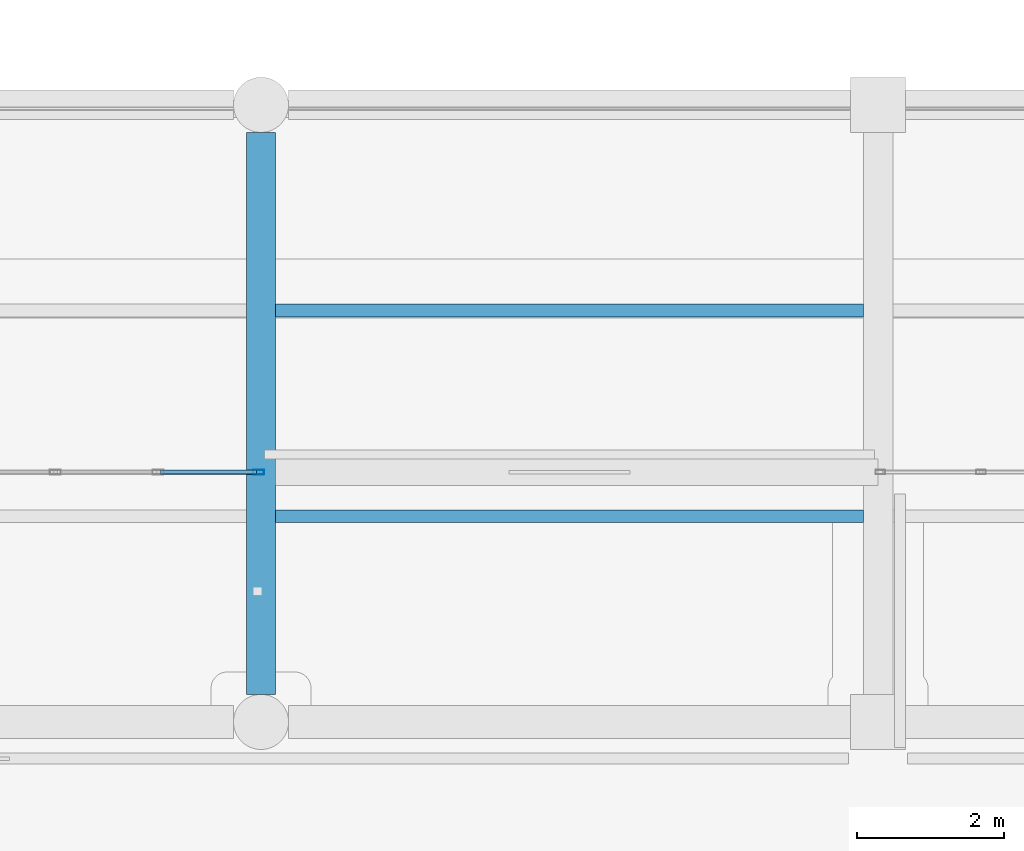
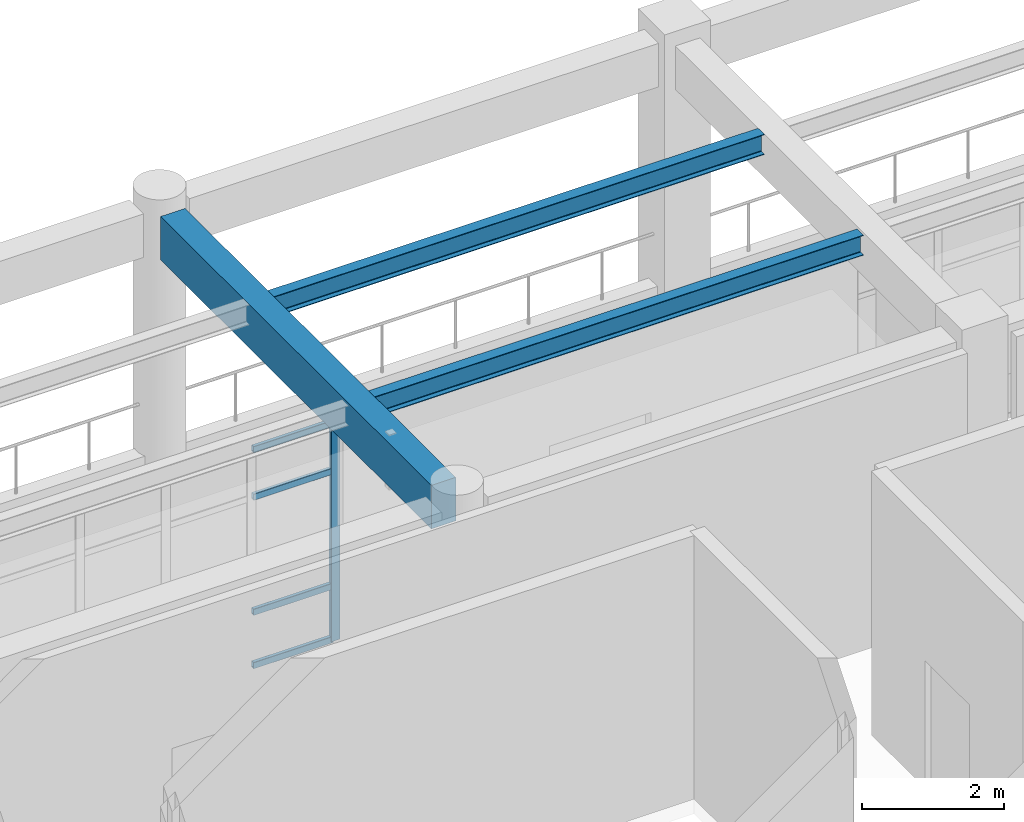
# One storey, part 9 of 111: 5 members, 3 beams, 1 element without a shape of its own.
"""IFC4 building model written with IfcOpenShell, lengths in metres."""

from ifc_helpers import new_model, si_unit, direction, frame, origin, origin_2d, place, context, subcontext, project, spatial, rectangle, hollow_rectangle, i_section, extrude, material, material_profile, profile_set, type_object, element, aggregate, save


model = new_model("IFC4")

# Units and contexts
model_context = context("Model", 3, precision=1e-05, world=origin(), true_north=direction((0.0, 1.0)))
body_context = subcontext(model_context, "Body", "Model", "MODEL_VIEW")
ifc_project = project(units=[si_unit("LENGTHUNIT", "METRE"), si_unit("AREAUNIT", "SQUARE_METRE"), si_unit("VOLUMEUNIT", "CUBIC_METRE"), si_unit("PLANEANGLEUNIT", "RADIAN"), si_unit("MASSUNIT", "GRAM", prefix="KILO")], contexts=[model_context])

# Site, building, storey
site_placement = place(None, origin())
site = spatial("IfcSite", under=ifc_project, at=site_placement, CompositionType="ELEMENT")
building_placement = place(site_placement, origin())
building = spatial("IfcBuilding", under=site, at=building_placement, Name="Canglan Escarpment Cableway Terminal", CompositionType="ELEMENT")
storey_placement = place(building_placement, frame((0.0, 0.0, 4.800048828125)))
storey = spatial("IfcBuildingStorey", under=building, at=storey_placement, Name="L01", CompositionType="ELEMENT", Elevation=4.800048828125)

# Beam
ifc_material_1 = material(Name="Concrete C40", Category="concrete")
ifc_material_profile_1 = material_profile(ifc_material_1, rectangle(XDim=0.39990234375, YDim=0.75, at=origin_2d()), Name="RC 400x750")
ifc_profile_set_1 = profile_set([ifc_material_profile_1], Name="Concrete C40")
beam_type_1 = type_object("IfcBeamType", Name="BM-RC400x750", PredefinedType="BEAM", material=ifc_profile_set_1)
beam_placement = place(storey_placement, frame((24.800048828125, 16.77490234375, 4.175048828125), z_axis=(0.0, 1.0, 0.0), x_axis=(-1.0, 0.0, 0.0)))
element("IfcBeam", 1, at=beam_placement, inside=storey, type_object=beam_type_1, Name="Primary transverse girder B-03", PredefinedType="BEAM", context=body_context, shape_type="SweptSolid", body=[
    extrude(rectangle(XDim=0.39990234375, YDim=0.75, at=origin_2d()), origin(), (0.0, 0.0, 1.0), 7.650146484375),
])

# Curtain wall, members
ifc_material_2 = material(Name="Anodized bronze aluminium and Low-E double glazing", Category="aluminium")
curtain_wall_type = type_object("IfcCurtainWallType", Name="CW-BAY-8400x3775", PredefinedType="NOTDEFINED", material=ifc_material_2)
curtain_wall_placement = place(storey_placement, origin())
curtain_wall = element("IfcCurtainWall", 2, at=curtain_wall_placement, inside=storey, type_object=curtain_wall_type, Name="Classical bay-between-piers glazed curtain wall CW-02", PredefinedType="NOTDEFINED")
ifc_material_3 = material(Name="Thermally broken anodized aluminium 6063-T6", Category="aluminium")
ifc_material_profile_2 = material_profile(ifc_material_3, hollow_rectangle(XDim=0.06494140625, YDim=0.14990234375, WallThickness=0.00341796875, InnerFilletRadius=0.00341796875, OuterFilletRadius=0.007080078125, at=origin_2d()), Name="ALU-MULL 65x150x3.5")
ifc_profile_set_2 = profile_set([ifc_material_profile_2], Name="Thermally broken anodized aluminium 6063-T6")
member_type_1 = type_object("IfcMemberType", Name="CWM-02", PredefinedType="MULLION", material=ifc_profile_set_2)
member_1_placement = place(storey_placement, frame((24.767578125, 19.800048828125, 0.0), z_axis=(0.0, 0.0, 1.0), x_axis=(0.0, -1.0, 0.0)))
member_1 = element("IfcMember", 3, at=member_1_placement, type_object=member_type_1, Name="CW-02 mullion 1", PredefinedType="MULLION", context=body_context, shape_type="SweptSolid", body=[
    extrude(hollow_rectangle(XDim=0.06494140625, YDim=0.14990234375, WallThickness=0.00341796875, InnerFilletRadius=0.00341796875, OuterFilletRadius=0.007080078125, at=origin_2d()), origin(), (0.0, 0.0, 1.0), 3.784912109375),
])
ifc_material_profile_3 = material_profile(ifc_material_3, hollow_rectangle(XDim=0.06005859375, YDim=0.110107421875, WallThickness=0.0029296875, InnerFilletRadius=0.0029296875, OuterFilletRadius=0.006103515625, at=origin_2d()), Name="ALU-TRAN 60x110x3")
ifc_profile_set_3 = profile_set([ifc_material_profile_3], Name="Thermally broken anodized aluminium 6063-T6")
member_type_2 = type_object("IfcMemberType", Name="CWT-02", PredefinedType="USERDEFINED", material=ifc_profile_set_3)
member_2_placement = place(storey_placement, frame((24.735107421875, 19.800048828125, 0.030029296875), z_axis=(-1.0, 0.0, 0.0), x_axis=(0.0, -1.0, 0.0)))
member_2 = element("IfcMember", 4, at=member_2_placement, type_object=member_type_2, Name="CW-02 transom 1.1", ObjectType="TRANSOM", PredefinedType="USERDEFINED", context=body_context, shape_type="SweptSolid", body=[
    extrude(hollow_rectangle(XDim=0.06005859375, YDim=0.110107421875, WallThickness=0.0029296875, InnerFilletRadius=0.0029296875, OuterFilletRadius=0.006103515625, at=origin_2d()), origin(), (0.0, 0.0, 1.0), 1.302490234375),
])
member_3_placement = place(storey_placement, frame((24.735107421875, 19.800048828125, 0.949951171875), z_axis=(-1.0, 0.0, 0.0), x_axis=(0.0, -1.0, 0.0)))
member_3 = element("IfcMember", 5, at=member_3_placement, type_object=member_type_2, Name="CW-02 transom 1.2", ObjectType="TRANSOM", PredefinedType="USERDEFINED", context=body_context, shape_type="SweptSolid", body=[
    extrude(hollow_rectangle(XDim=0.06005859375, YDim=0.110107421875, WallThickness=0.0029296875, InnerFilletRadius=0.0029296875, OuterFilletRadius=0.006103515625, at=origin_2d()), origin(), (0.0, 0.0, 1.0), 1.302490234375),
])
member_4_placement = place(storey_placement, frame((24.735107421875, 19.800048828125, 2.93505859375), z_axis=(-1.0, 0.0, 0.0), x_axis=(0.0, -1.0, 0.0)))
member_4 = element("IfcMember", 6, at=member_4_placement, type_object=member_type_2, Name="CW-02 transom 1.3", ObjectType="TRANSOM", PredefinedType="USERDEFINED", context=body_context, shape_type="SweptSolid", body=[
    extrude(hollow_rectangle(XDim=0.06005859375, YDim=0.110107421875, WallThickness=0.0029296875, InnerFilletRadius=0.0029296875, OuterFilletRadius=0.006103515625, at=origin_2d()), origin(), (0.0, 0.0, 1.0), 1.302490234375),
])
member_5_placement = place(storey_placement, frame((24.735107421875, 19.800048828125, 3.7548828125), z_axis=(-1.0, 0.0, 0.0), x_axis=(0.0, -1.0, 0.0)))
member_5 = element("IfcMember", 7, at=member_5_placement, type_object=member_type_2, Name="CW-02 transom 1.4", ObjectType="TRANSOM", PredefinedType="USERDEFINED", context=body_context, shape_type="SweptSolid", body=[
    extrude(hollow_rectangle(XDim=0.06005859375, YDim=0.110107421875, WallThickness=0.0029296875, InnerFilletRadius=0.0029296875, OuterFilletRadius=0.006103515625, at=origin_2d()), origin(), (0.0, 0.0, 1.0), 1.302490234375),
])
aggregate(curtain_wall, [member_1, member_2, member_3, member_4, member_5])

# Beams
ifc_material_4 = material(Name="Steel Q355B", Category="steel")
ifc_material_profile_4 = material_profile(ifc_material_4, i_section(OverallWidth=0.175048828125, OverallDepth=0.35009765625, WebThickness=0.007080078125, FlangeThickness=0.010986328125, FilletRadius=0.013916015625, at=origin_2d()), Name="HN 350x175x7x11")
ifc_profile_set_4 = profile_set([ifc_material_profile_4], Name="Steel Q355B")
beam_type_2 = type_object("IfcBeamType", Name="JS-HN350", PredefinedType="JOIST", material=ifc_profile_set_4)
for number, where, z_axis, x_axis, name in (
    (8, (25.0, 19.199951171875, 4.3349609375), (1.0, 0.0, 0.0), (0.0, 1.0, 0.0), "Secondary composite deck joist J-04"),
    (9, (25.0, 22.0, 4.375), (1.0, 0.0, 0.0), (0.0, 1.0, 0.0), "Secondary composite deck joist J-04"),
):
    element("IfcBeam", number, at=place(storey_placement, frame(where, z_axis=z_axis, x_axis=x_axis)), inside=storey, type_object=beam_type_2, Name=name, PredefinedType="JOIST", context=body_context, shape_type="SweptSolid", body=[
        extrude(i_section(OverallWidth=0.175048828125, OverallDepth=0.35009765625, WebThickness=0.007080078125, FlangeThickness=0.010986328125, FilletRadius=0.013916015625, at=origin_2d()), origin(), (0.0, 0.0, 1.0), 8.0),
    ])

save(model, "model.ifc")
